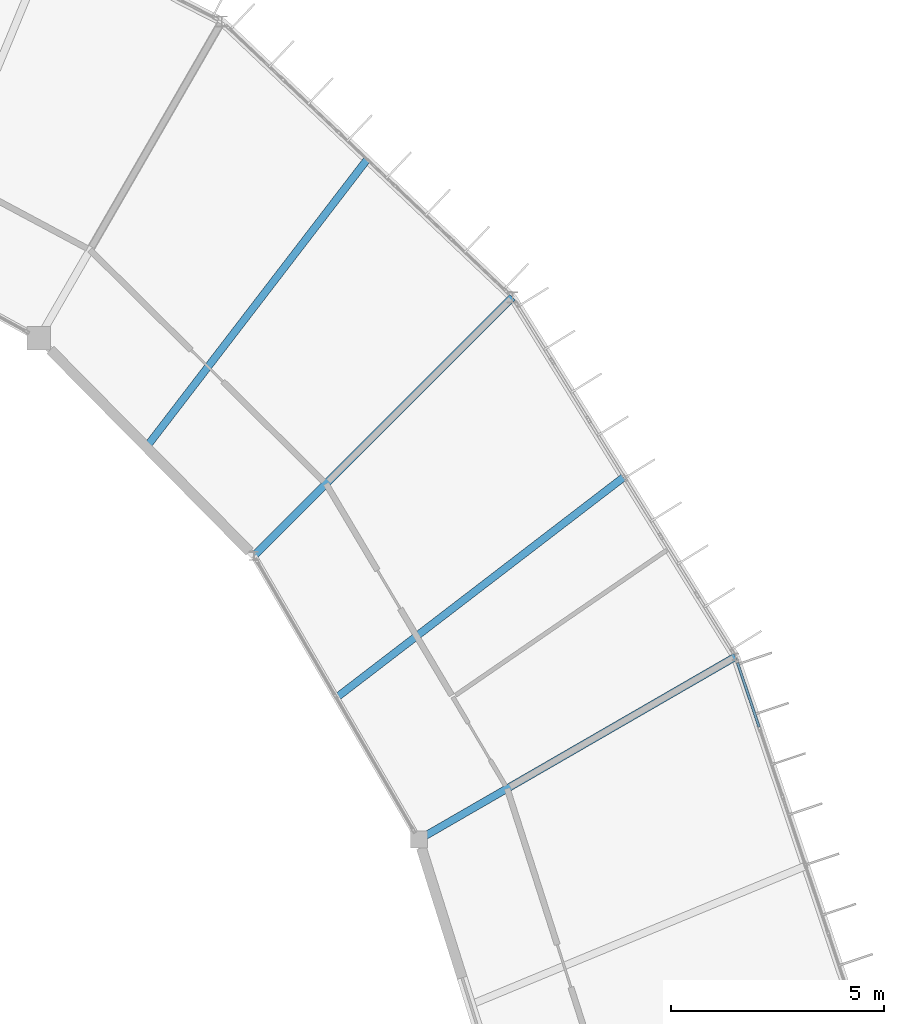
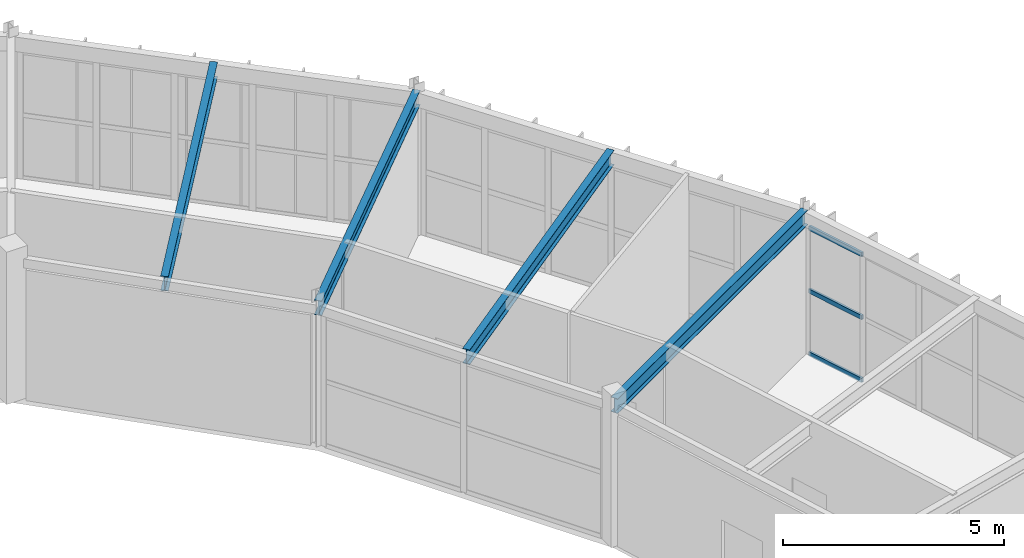
# One storey, part 34 of 66: 4 beams, 3 members, 1 element without a shape of its own.
"""IFC4 building model written with IfcOpenShell, lengths in metres."""

from ifc_helpers import new_model, si_unit, direction, frame, origin, origin_2d, place, context, subcontext, project, spatial, hollow_rectangle, i_section, extrude, material, material_profile, profile_set, type_object, element, aggregate, save


model = new_model("IFC4")

# Units and contexts
model_context = context("Model", 3, precision=1e-05, world=origin(), true_north=direction((0.0, 1.0)))
body_context = subcontext(model_context, "Body", "Model", "MODEL_VIEW")
ifc_project = project(units=[si_unit("LENGTHUNIT", "METRE"), si_unit("AREAUNIT", "SQUARE_METRE"), si_unit("VOLUMEUNIT", "CUBIC_METRE"), si_unit("PLANEANGLEUNIT", "RADIAN"), si_unit("MASSUNIT", "GRAM", prefix="KILO")], contexts=[model_context])

# Site, building, storey
site_placement = place(None, origin())
site = spatial("IfcSite", under=ifc_project, at=site_placement, CompositionType="ELEMENT")
building_placement = place(site_placement, origin())
building = spatial("IfcBuilding", under=site, at=building_placement, Name="Karori Crest Natural Sciences Institute", CompositionType="ELEMENT")
storey_placement = place(building_placement, frame((0.0, 0.0, 30.10009765625)))
storey = spatial("IfcBuildingStorey", under=building, at=storey_placement, Name="L07", CompositionType="ELEMENT", Elevation=30.10009765625)

# Beams
ifc_material_1 = material(Name="Structural steel AS/NZS 3679.1 Grade 350", Category="steel")
ifc_material_profile_1 = material_profile(ifc_material_1, i_section(OverallWidth=0.177978515625, OverallDepth=0.406005859375, WebThickness=0.0078125, FlangeThickness=0.0126953125, FilletRadius=0.010986328125, at=origin_2d()), Name="410UB59.7")
ifc_profile_set_1 = profile_set([ifc_material_profile_1], Name="Structural steel AS/NZS 3679.1 Grade 350")
beam_type = type_object("IfcBeamType", Name="BT-07", PredefinedType="BEAM", material=ifc_profile_set_1)
beam_1_placement = place(storey_placement, frame((87.531005859375, 66.0, 3.739990234375), z_axis=(0.866021068297, 0.500007509209, 0.0), x_axis=(-0.500007509209, 0.866021068297, 0.0)))
element("IfcBeam", 1, at=beam_1_placement, inside=storey, type_object=beam_type, Name="Beam B-0652", PredefinedType="BEAM", context=body_context, shape_type="SweptSolid", body=[
    extrude(i_section(OverallWidth=0.177978515625, OverallDepth=0.406005859375, WebThickness=0.0078125, FlangeThickness=0.0126953125, FilletRadius=0.010986328125, at=origin_2d()), origin(), (0.0, 0.0, 1.0), 8.599853515625),
])
beam_2_placement = place(storey_placement, frame((83.6533203125, 72.668701171875, 3.739990234375), z_axis=(0.707106781187, 0.707106781187, 0.0), x_axis=(-0.707106781187, 0.707106781187, 0.0)))
element("IfcBeam", 2, at=beam_2_placement, inside=storey, type_object=beam_type, Name="Beam B-0655", PredefinedType="BEAM", context=body_context, shape_type="SweptSolid", body=[
    extrude(i_section(OverallWidth=0.177978515625, OverallDepth=0.406005859375, WebThickness=0.0078125, FlangeThickness=0.0126953125, FilletRadius=0.010986328125, at=origin_2d()), origin(), (0.0, 0.0, 1.0), 8.600341796875),
])
beam_3_placement = place(storey_placement, frame((85.59228515625, 69.33447265625, 3.739990234375), z_axis=(0.793357888045, 0.608755502214, 0.0), x_axis=(-0.608755502214, 0.793357888045, 0.0)))
element("IfcBeam", 3, at=beam_3_placement, inside=storey, type_object=beam_type, Name="Beam B-2883", PredefinedType="BEAM", context=body_context, shape_type="SweptSolid", body=[
    extrude(i_section(OverallWidth=0.177978515625, OverallDepth=0.406005859375, WebThickness=0.0078125, FlangeThickness=0.0126953125, FilletRadius=0.010986328125, at=origin_2d()), origin(), (0.0, 0.0, 1.0), 8.5263671875),
])
beam_4_placement = place(storey_placement, frame((81.126708984375, 75.227294921875, 3.739990234375), z_axis=(0.608759695628, 0.793354670358, 0.0), x_axis=(-0.793354670358, 0.608759695628, 0.0)))
element("IfcBeam", 4, at=beam_4_placement, inside=storey, type_object=beam_type, Name="Beam B-2884", PredefinedType="BEAM", context=body_context, shape_type="SweptSolid", body=[
    extrude(i_section(OverallWidth=0.177978515625, OverallDepth=0.406005859375, WebThickness=0.0078125, FlangeThickness=0.0126953125, FilletRadius=0.010986328125, at=origin_2d()), origin(), (0.0, 0.0, 1.0), 8.526611328125),
])

# Curtain wall, members
ifc_material_2 = material(Name="Anodised architectural aluminium 6063-T6", Category="aluminium")
curtain_wall_type = type_object("IfcCurtainWallType", Name="CWT-02", PredefinedType="NOTDEFINED", material=ifc_material_2)
curtain_wall_placement = place(storey_placement, origin())
curtain_wall = element("IfcCurtainWall", 5, at=curtain_wall_placement, inside=storey, type_object=curtain_wall_type, Name="Curtain wall CW-0245", PredefinedType="NOTDEFINED")
ifc_material_profile_2 = material_profile(ifc_material_2, hollow_rectangle(XDim=0.06005859375, YDim=0.1201171875, WallThickness=0.00390625, at=origin_2d()), Name="CWT120x60x4")
ifc_profile_set_2 = profile_set([ifc_material_profile_2], Name="Anodised architectural aluminium 6063-T6")
member_type = type_object("IfcMemberType", Name="CWT-TR1", PredefinedType="USERDEFINED", material=ifc_profile_set_2)
member_1_placement = place(storey_placement, frame((95.02587890625, 70.1591796875, 0.02978515625), z_axis=(0.317695793379, -0.9481926929, 0.0), x_axis=(0.9481926929, 0.317695793379, 0.0)))
member_1 = element("IfcMember", 6, at=member_1_placement, type_object=member_type, Name="CW-0245 transom 1.1", ObjectType="TRANSOM", PredefinedType="USERDEFINED", context=body_context, shape_type="SweptSolid", body=[
    extrude(hollow_rectangle(XDim=0.06005859375, YDim=0.1201171875, WallThickness=0.00390625, at=origin_2d()), origin(), (0.0, 0.0, 1.0), 1.59619140625),
])
member_2_placement = place(storey_placement, frame((95.02587890625, 70.1591796875, 1.762451171875), z_axis=(0.317695793379, -0.9481926929, 0.0), x_axis=(0.9481926929, 0.317695793379, 0.0)))
member_2 = element("IfcMember", 7, at=member_2_placement, type_object=member_type, Name="CW-0245 transom 1.2", ObjectType="TRANSOM", PredefinedType="USERDEFINED", context=body_context, shape_type="SweptSolid", body=[
    extrude(hollow_rectangle(XDim=0.06005859375, YDim=0.1201171875, WallThickness=0.00390625, at=origin_2d()), origin(), (0.0, 0.0, 1.0), 1.59619140625),
])
member_3_placement = place(storey_placement, frame((95.02587890625, 70.1591796875, 3.494873046875), z_axis=(0.317695793379, -0.9481926929, 0.0), x_axis=(0.9481926929, 0.317695793379, 0.0)))
member_3 = element("IfcMember", 8, at=member_3_placement, type_object=member_type, Name="CW-0245 transom 1.3", ObjectType="TRANSOM", PredefinedType="USERDEFINED", context=body_context, shape_type="SweptSolid", body=[
    extrude(hollow_rectangle(XDim=0.06005859375, YDim=0.1201171875, WallThickness=0.00390625, at=origin_2d()), origin(), (0.0, 0.0, 1.0), 1.59619140625),
])
aggregate(curtain_wall, [member_1, member_2, member_3])

save(model, "model.ifc")
